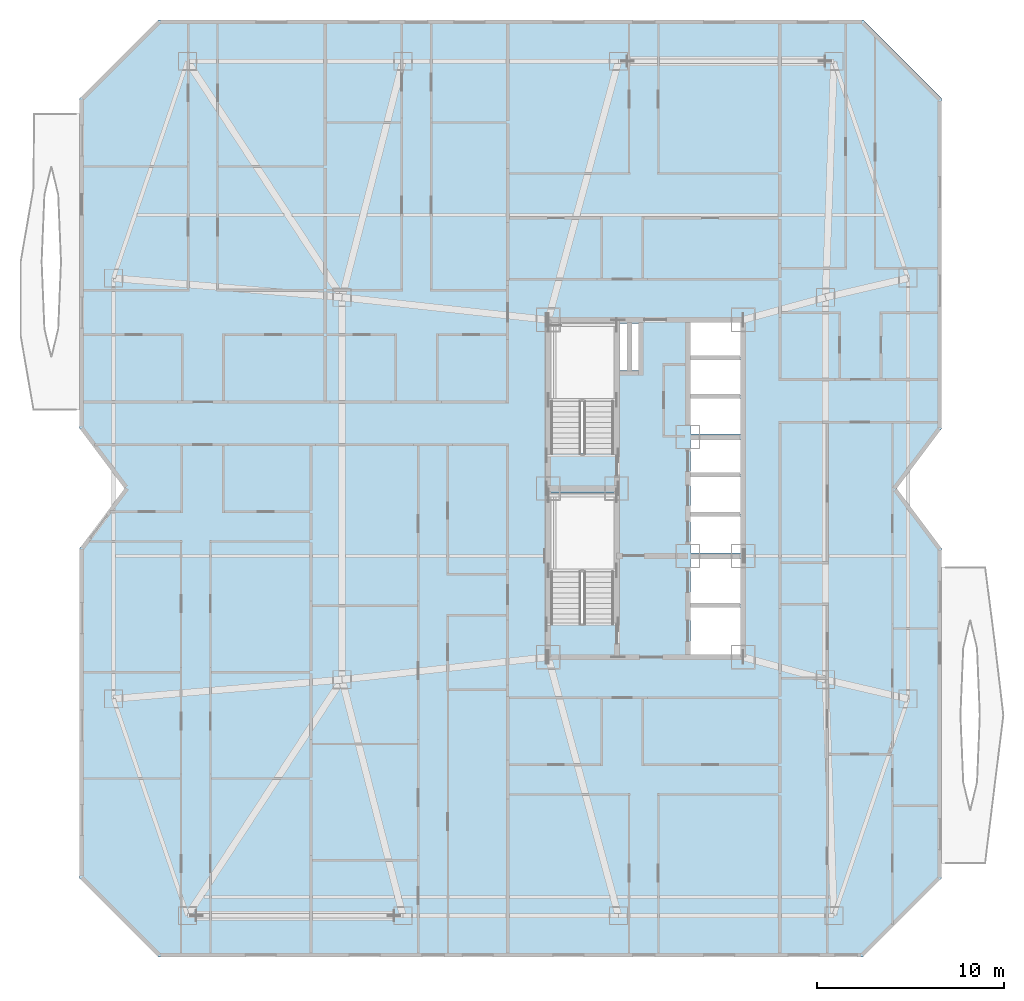
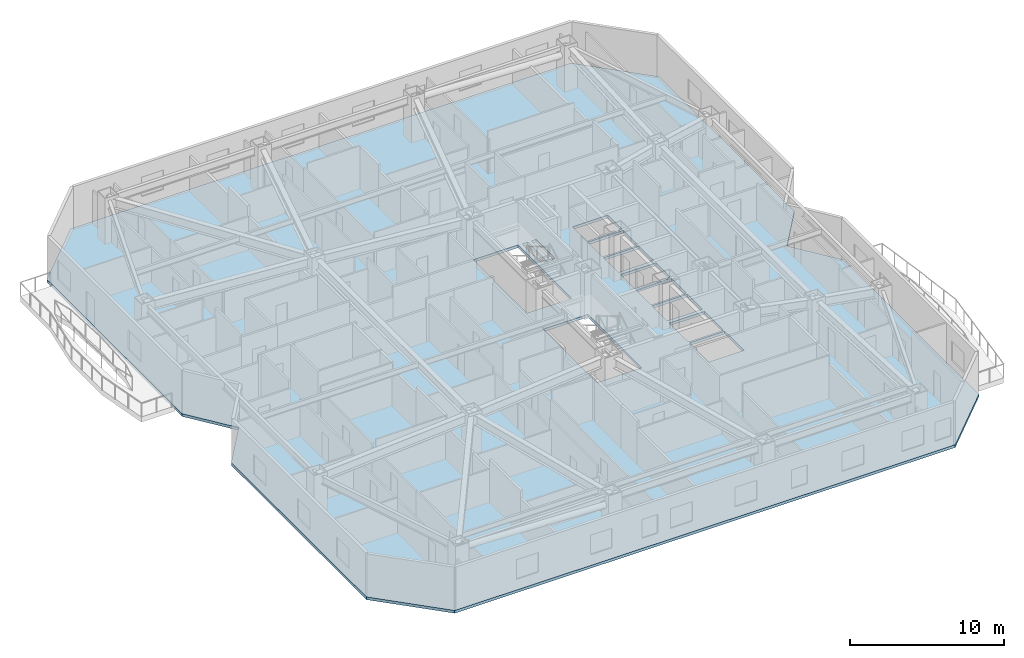
# One storey, part 3 of 16: 1 slab.
"""IFC4 building model written with IfcOpenShell, lengths in metres."""

from ifc_helpers import new_model, si_unit, direction, frame, origin, place, context, subcontext, project, spatial, polyline, outline, extrude, material, layer, layer_set, type_object, element, save


model = new_model("IFC4")

# Units and contexts
model_context = context("Model", 3, precision=1e-05, world=origin(), true_north=direction((0.0, 1.0)))
body_context = subcontext(model_context, "Body", "Model", "MODEL_VIEW")
ifc_project = project(units=[si_unit("LENGTHUNIT", "METRE"), si_unit("AREAUNIT", "SQUARE_METRE"), si_unit("VOLUMEUNIT", "CUBIC_METRE"), si_unit("PLANEANGLEUNIT", "RADIAN"), si_unit("MASSUNIT", "GRAM", prefix="KILO")], contexts=[model_context])

# Site, building, storey
site_placement = place(None, origin())
site = spatial("IfcSite", under=ifc_project, at=site_placement, CompositionType="ELEMENT")
building_placement = place(site_placement, origin())
building = spatial("IfcBuilding", under=site, at=building_placement, Name="Khamvora Tower", CompositionType="ELEMENT")
storey_placement = place(building_placement, frame((0.0, 0.0, 77.10009765625)))
storey = spatial("IfcBuildingStorey", under=building, at=storey_placement, Name="L19", CompositionType="ELEMENT", Elevation=77.10009765625)

# Slab
ifc_material = material(Name="Concrete C35/45", Category="concrete")
ifc_layer = layer(ifc_material, 0.219970703125)
ifc_layer_set = layer_set([ifc_layer], Name="Concrete C35/45")
slab_type = type_object("IfcSlabType", Name="SLB-TYP-220", PredefinedType="FLOOR", material=ifc_layer_set)
slab_placement = place(storey_placement, frame((0.0, 0.0, -0.22021484375)))
element("IfcSlab", 1, at=slab_placement, inside=storey, type_object=slab_type, Name="L19 structural floor slab", PredefinedType="FLOOR", context=body_context, shape_type="SweptSolid", body=[
    extrude(outline(polyline([(8.199951171875, 3.0), (45.800048828125, 3.0), (50.0, 7.199951171875), (50.0, 24.800048828125), (47.60009765625, 28.0), (50.0, 31.199951171875), (50.0, 48.800048828125), (45.800048828125, 53.0), (8.199951171875, 53.0), (4.0, 48.800048828125), (4.0, 31.199951171875), (6.39990234375, 28.0), (4.0, 24.800048828125), (4.0, 7.199951171875), (8.199951171875, 3.0)]), holes=[polyline([(32.5, 20.760009765625), (32.5, 27.75), (29.14990234375, 27.75), (29.14990234375, 20.760009765625), (32.5, 20.760009765625)]), polyline([(32.5, 29.860107421875), (32.5, 36.85009765625), (29.14990234375, 36.85009765625), (29.14990234375, 29.860107421875), (32.5, 29.860107421875)]), polyline([(36.60009765625, 19.14990234375), (39.25, 19.14990234375), (39.25, 21.64990234375), (36.60009765625, 21.64990234375), (36.60009765625, 19.14990234375)]), polyline([(36.60009765625, 21.800048828125), (39.25, 21.800048828125), (39.25, 24.25), (36.60009765625, 24.25), (36.60009765625, 21.800048828125)]), polyline([(36.60009765625, 24.550048828125), (39.25, 24.550048828125), (39.25, 26.5), (36.60009765625, 26.5), (36.60009765625, 24.550048828125)]), polyline([(36.60009765625, 26.64990234375), (39.25, 26.64990234375), (39.25, 28.60009765625), (36.60009765625, 28.60009765625), (36.60009765625, 26.64990234375)]), polyline([(36.60009765625, 28.75), (39.25, 28.75), (39.25, 30.60009765625), (36.60009765625, 30.60009765625), (36.60009765625, 28.75)]), polyline([(36.60009765625, 30.89990234375), (39.25, 30.89990234375), (39.25, 32.800048828125), (36.60009765625, 32.800048828125), (36.60009765625, 30.89990234375)]), polyline([(36.60009765625, 32.949951171875), (39.25, 32.949951171875), (39.25, 34.85009765625), (36.60009765625, 34.85009765625), (36.60009765625, 32.949951171875)]), polyline([(36.60009765625, 35.0), (39.25, 35.0), (39.25, 36.85009765625), (36.60009765625, 36.85009765625), (36.60009765625, 35.0)]), polyline([(32.800048828125, 34.300048828125), (33.199951171875, 34.300048828125), (33.199951171875, 36.800048828125), (32.800048828125, 36.800048828125), (32.800048828125, 34.300048828125)]), polyline([(33.47998046875, 34.300048828125), (33.820068359375, 34.300048828125), (33.820068359375, 36.800048828125), (33.47998046875, 36.800048828125), (33.47998046875, 34.300048828125)])]), origin(), (0.0, 0.0, 1.0), 0.22021484375),
])

save(model, "model.ifc")
